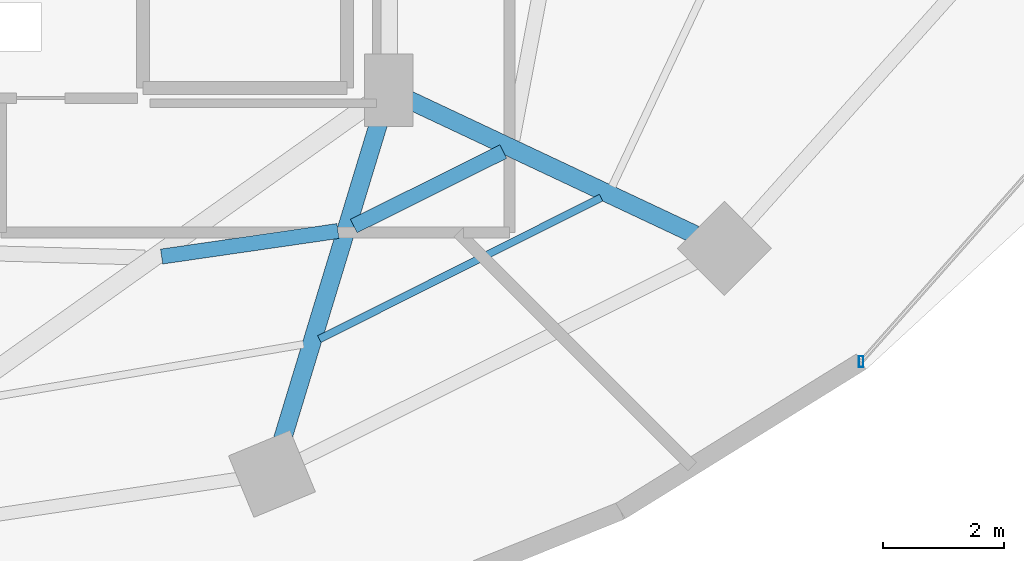
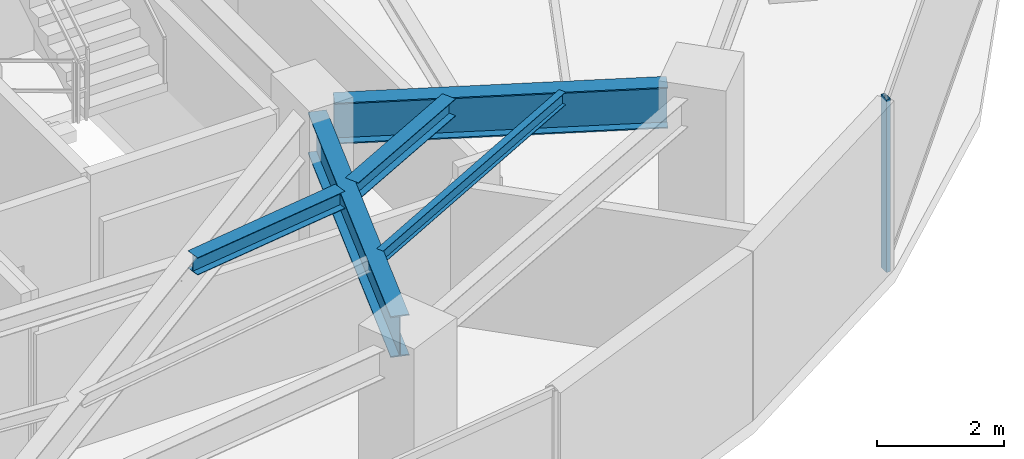
# One storey, part 12 of 30: 5 beams, 1 member, 1 element without a shape of its own.
"""IFC4 building model written with IfcOpenShell, lengths in metres."""

from ifc_helpers import new_model, si_unit, direction, frame, origin, origin_2d, place, context, subcontext, project, spatial, hollow_rectangle, i_section, extrude, material, material_profile, profile_set, type_object, element, aggregate, save


model = new_model("IFC4")

# Units and contexts
model_context = context("Model", 3, precision=1e-05, world=origin(), true_north=direction((0.0, 1.0)))
body_context = subcontext(model_context, "Body", "Model", "MODEL_VIEW")
ifc_project = project(units=[si_unit("LENGTHUNIT", "METRE"), si_unit("AREAUNIT", "SQUARE_METRE"), si_unit("VOLUMEUNIT", "CUBIC_METRE"), si_unit("PLANEANGLEUNIT", "RADIAN"), si_unit("MASSUNIT", "GRAM", prefix="KILO")], contexts=[model_context])

# Site, building, storey
site_placement = place(None, origin())
site = spatial("IfcSite", under=ifc_project, at=site_placement, CompositionType="ELEMENT")
building_placement = place(site_placement, origin())
building = spatial("IfcBuilding", under=site, at=building_placement, Name="Vorneva Point Tower", CompositionType="ELEMENT")
storey_placement = place(building_placement, frame((0.0, 0.0, 106.800048828125)))
storey = spatial("IfcBuildingStorey", under=building, at=storey_placement, Name="L28", CompositionType="ELEMENT", Elevation=106.800048828125)

# Beams
ifc_material_1 = material(Name="Steel S355", Category="steel")
ifc_material_profile_1 = material_profile(ifc_material_1, i_section(OverallWidth=0.300048828125, OverallDepth=0.7880859375, WebThickness=0.014404296875, FlangeThickness=0.02197265625, at=origin_2d()), Name="80Sh1")
ifc_profile_set_1 = profile_set([ifc_material_profile_1], Name="Steel S355")
beam_type_1 = type_object("IfcBeamType", Name="BM-GRD-80Sh1", PredefinedType="USERDEFINED", material=ifc_profile_set_1)
beam_1_placement = place(storey_placement, frame((46.9775390625, 10.6240234375, 2.845947265625), z_axis=(0.291034888253, 0.956712440506, 0.0), x_axis=(-0.956712440506, 0.291034888253, 0.0)))
element("IfcBeam", 1, at=beam_1_placement, inside=storey, type_object=beam_type_1, Name="L28 Radial Primary Girder 14", ObjectType="GIRDER", PredefinedType="USERDEFINED", context=body_context, shape_type="SweptSolid", body=[
    extrude(i_section(OverallWidth=0.300048828125, OverallDepth=0.7880859375, WebThickness=0.014404296875, FlangeThickness=0.02197265625, at=origin_2d()), origin(), (0.0, 0.0, 1.0), 5.74951171875),
])
beam_2_placement = place(storey_placement, frame((53.81201171875, 14.06689453125, 2.845947265625), z_axis=(-0.904751304927, 0.425940226126, 0.0), x_axis=(-0.425940226126, -0.904751304927, 0.0)))
element("IfcBeam", 2, at=beam_2_placement, inside=storey, type_object=beam_type_1, Name="L28 Radial Primary Girder 15", ObjectType="GIRDER", PredefinedType="USERDEFINED", context=body_context, shape_type="SweptSolid", body=[
    extrude(i_section(OverallWidth=0.300048828125, OverallDepth=0.7880859375, WebThickness=0.014404296875, FlangeThickness=0.02197265625, at=origin_2d()), origin(), (0.0, 0.0, 1.0), 5.2548828125),
])
ifc_material_profile_2 = material_profile(ifc_material_1, i_section(OverallWidth=0.1240234375, OverallDepth=0.248046875, WebThickness=0.0048828125, FlangeThickness=0.008056640625, at=origin_2d()), Name="25B1")
ifc_profile_set_2 = profile_set([ifc_material_profile_2], Name="Steel S355")
beam_type_2 = type_object("IfcBeamType", Name="BM-JST-25B1", PredefinedType="JOIST", material=ifc_profile_set_2)
beam_3_placement = place(storey_placement, frame((47.602783203125, 12.336181640625, 3.115966796875), z_axis=(0.893620424301, 0.448823503476, 0.0), x_axis=(-0.448823503476, 0.893620424301, 0.0)))
element("IfcBeam", 3, at=beam_3_placement, inside=storey, type_object=beam_type_2, Name="L28 Secondary Floor Beam 1.14", PredefinedType="JOIST", context=body_context, shape_type="SweptSolid", body=[
    extrude(i_section(OverallWidth=0.1240234375, OverallDepth=0.248046875, WebThickness=0.0048828125, FlangeThickness=0.008056640625, at=origin_2d()), origin(), (0.0, 0.0, 1.0), 5.21435546875),
])
ifc_material_profile_3 = material_profile(ifc_material_1, i_section(OverallWidth=0.2490234375, OverallDepth=0.333984375, WebThickness=0.008056640625, FlangeThickness=0.010986328125, at=origin_2d()), Name="35Sh1")
ifc_profile_set_3 = profile_set([ifc_material_profile_3], Name="Steel S355")
beam_type_3 = type_object("IfcBeamType", Name="BM-SEC-35Sh1", PredefinedType="BEAM", material=ifc_profile_set_3)
beam_4_placement = place(storey_placement, frame((44.9970703125, 13.701904296875, 3.072998046875), z_axis=(0.989653947992, 0.143474956782, 0.0), x_axis=(-0.143474956782, 0.989653947992, 0.0)))
element("IfcBeam", 4, at=beam_4_placement, inside=storey, type_object=beam_type_3, Name="L28 Secondary Floor Beam 2.13", PredefinedType="BEAM", context=body_context, shape_type="SweptSolid", body=[
    extrude(i_section(OverallWidth=0.2490234375, OverallDepth=0.333984375, WebThickness=0.008056640625, FlangeThickness=0.010986328125, at=origin_2d()), origin(), (0.0, 0.0, 1.0), 2.945556640625),
])
beam_5_placement = place(storey_placement, frame((48.172119140625, 14.2060546875, 3.072998046875), z_axis=(0.895132850835, 0.445799483351, 0.0), x_axis=(-0.445799483351, 0.895132850835, 0.0)))
element("IfcBeam", 5, at=beam_5_placement, inside=storey, type_object=beam_type_3, Name="L28 Secondary Floor Beam 2.14", PredefinedType="BEAM", context=body_context, shape_type="SweptSolid", body=[
    extrude(i_section(OverallWidth=0.2490234375, OverallDepth=0.333984375, WebThickness=0.008056640625, FlangeThickness=0.010986328125, at=origin_2d()), origin(), (0.0, 0.0, 1.0), 2.763427734375),
])

# Curtain wall, member
ifc_material_2 = material(Name="Pale anodised aluminium", Category="aluminium")
curtain_wall_type = type_object("IfcCurtainWallType", Name="CW-HTL-SYS", PredefinedType="NOTDEFINED", material=ifc_material_2)
curtain_wall_placement = place(storey_placement, origin())
curtain_wall = element("IfcCurtainWall", 6, at=curtain_wall_placement, inside=storey, type_object=curtain_wall_type, Name="L28 Unitised Curtain Wall CW-L28-R01", PredefinedType="NOTDEFINED")
ifc_material_profile_4 = material_profile(ifc_material_2, hollow_rectangle(XDim=0.074951171875, YDim=0.179931640625, WallThickness=0.00390625, at=origin_2d()), Name="AL-MUL 180x75x4")
ifc_profile_set_4 = profile_set([ifc_material_profile_4], Name="Pale anodised aluminium")
member_type = type_object("IfcMemberType", Name="CW-MUL-180", PredefinedType="MULLION", material=ifc_profile_set_4)
member_placement = place(storey_placement, frame((56.5615234375, 11.9638671875, -0.0400390625), z_axis=(0.0, 0.0, 1.0), x_axis=(1.0, 0.0, 0.0)))
member = element("IfcMember", 7, at=member_placement, type_object=member_type, Name="CW-L28-R01 Mullion 01", PredefinedType="MULLION", context=body_context, shape_type="SweptSolid", body=[
    extrude(hollow_rectangle(XDim=0.074951171875, YDim=0.179931640625, WallThickness=0.00390625, at=origin_2d()), origin(), (0.0, 0.0, 1.0), 3.31005859375),
])
aggregate(curtain_wall, [member])

save(model, "model.ifc")
